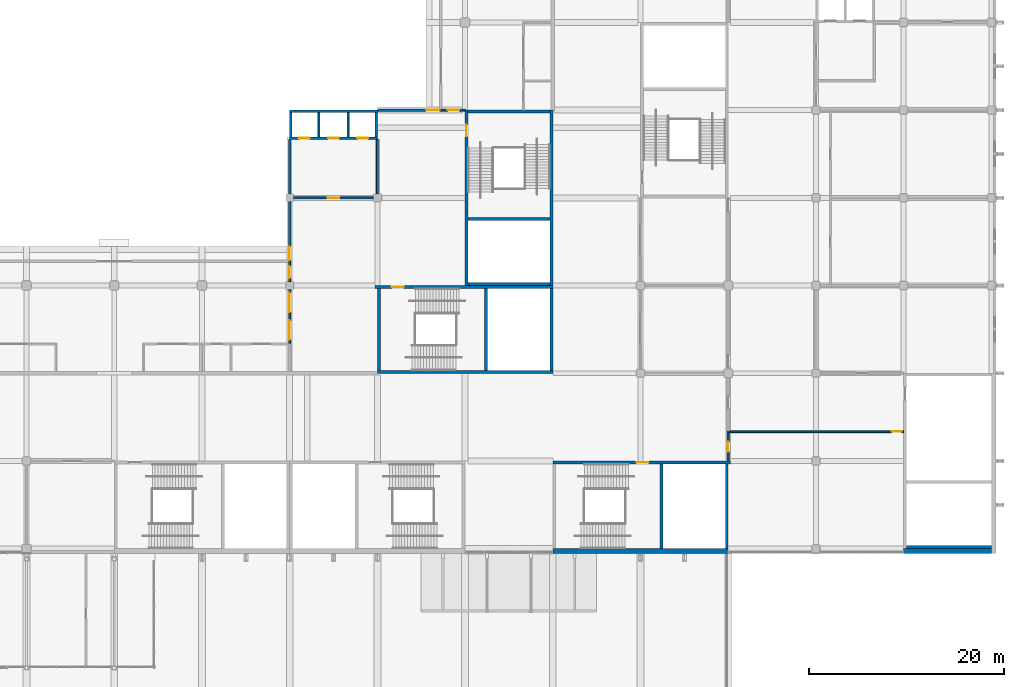
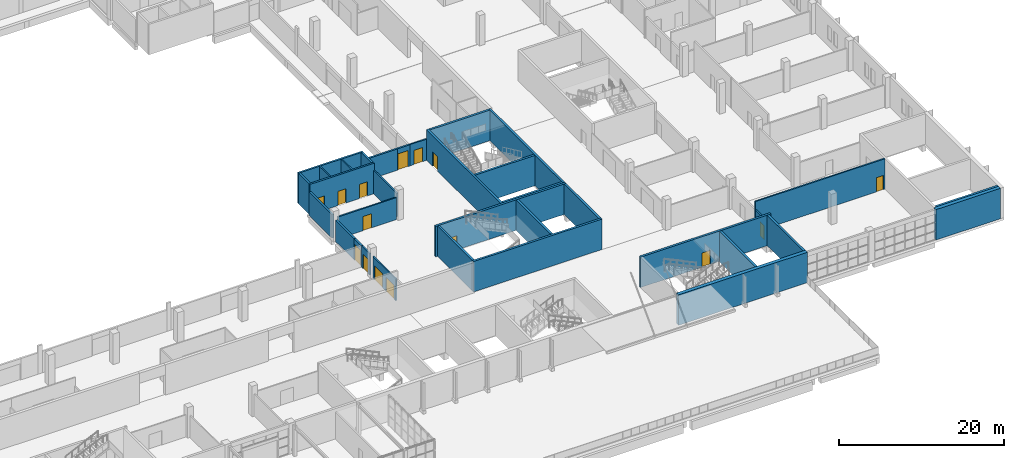
# One storey, part 100 of 168: 34 walls, 15 doors, 15 openings.
"""IFC4 building model written with IfcOpenShell, lengths in metres."""

from ifc_helpers import new_model, si_unit, direction, frame, frame_2d, origin, place, context, subcontext, project, spatial, rectangle, extrude, material, layer, layer_set, type_object, element, fill, save


model = new_model("IFC4")

# Units and contexts
model_context = context("Model", 3, precision=1e-05, world=origin(), true_north=direction((0.0, 1.0)))
body_context = subcontext(model_context, "Body", "Model", "MODEL_VIEW")
ifc_project = project(units=[si_unit("LENGTHUNIT", "METRE"), si_unit("AREAUNIT", "SQUARE_METRE"), si_unit("VOLUMEUNIT", "CUBIC_METRE"), si_unit("PLANEANGLEUNIT", "RADIAN"), si_unit("MASSUNIT", "GRAM", prefix="KILO")], contexts=[model_context])

# Site, building, storey
site_placement = place(None, origin())
site = spatial("IfcSite", under=ifc_project, at=site_placement, CompositionType="ELEMENT")
building_placement = place(site_placement, origin())
building = spatial("IfcBuilding", under=site, at=building_placement, Name="Silverbay Arena", CompositionType="ELEMENT")
storey_placement = place(building_placement, frame((0.0, 0.0, 7.0)))
storey = spatial("IfcBuildingStorey", under=building, at=storey_placement, Name="L01", CompositionType="ELEMENT", Elevation=7.0)

# Wall, opening, door
ifc_material_1 = material(Name="Concrete Grade C45", Category="concrete")
ifc_layer_1 = layer(ifc_material_1, 0.25)
ifc_layer_set_1 = layer_set([ifc_layer_1], Name="Concrete Grade C45")
wall_type_1 = type_object("IfcWallType", Name="Bowl enclosure wall RC 250 EI 120", PredefinedType="SOLIDWALL", material=ifc_layer_set_1)
wall_1_placement = place(storey_placement, frame((162.0, 49.10009765625, 0.0), z_axis=(0.0, 0.0, 1.0), x_axis=(0.0, -1.0, 0.0)))
wall_1 = element("IfcWall", 1, at=wall_1_placement, inside=storey, type_object=wall_type_1, Name="gangway South lower stand end", PredefinedType="SOLIDWALL", context=body_context, shape_type="SweptSolid", body=[
    extrude(rectangle(XDim=1.75, YDim=0.25, at=frame_2d((0.875, 0.0))), origin(), (0.0, 0.0, 1.0), 3.14990234375),
])
opening_1_placement = place(wall_1_placement, frame((0.10009765625, 0.0, 0.0)))
opening_1 = element("IfcOpeningElement", 2, at=opening_1_placement, cuts=wall_1, Name="Opening L01-152", PredefinedType="OPENING", context=body_context, shape_type="SweptSolid", body=[
    extrude(rectangle(XDim=1.39990234375, YDim=2.39990234375, at=frame_2d((0.699951171875, 1.199951171875))), frame((0.0, 0.135009765625, 0.0), z_axis=(0.0, -1.0, 0.0), x_axis=(1.0, 0.0, 0.0)), (0.0, 0.0, 1.0), 0.27001953125),
])
ifc_material_2 = material(Name="Steel", Category="steel")
door_type_1 = type_object("IfcDoorType", Name="Fire door set 1400 x 2400 FD120S gangway", OperationType="DOUBLE_DOOR_SINGLE_SWING", PredefinedType="DOOR", material=ifc_material_2)
door_1_placement = place(opening_1_placement, origin())
door_1 = element("IfcDoor", 3, at=door_1_placement, inside=storey, type_object=door_type_1, Name="Fire door set L01 gangway South lower stand end", OperationType="DOUBLE_DOOR_SINGLE_SWING", OverallHeight=2.39990234375, OverallWidth=1.39990234375, PredefinedType="DOOR", context=body_context, shape_type="SweptSolid", body=[
    extrude(rectangle(XDim=1.39990234375, YDim=2.39990234375, at=frame_2d((0.699951171875, 1.199951171875))), frame((0.0, 0.02490234375, 0.0), z_axis=(0.0, -1.0, 0.0), x_axis=(1.0, 0.0, 0.0)), (0.0, 0.0, 1.0), 0.050048828125),
])
fill(opening_1, door_1)

wall_2_placement = place(storey_placement, frame((175.89990234375, 63.0, 0.0), z_axis=(0.0, 0.0, 1.0), x_axis=(1.0, 0.0, 0.0)))
wall_2 = element("IfcWall", 4, at=wall_2_placement, inside=storey, type_object=wall_type_1, Name="gangway East lower stand end", PredefinedType="SOLIDWALL", context=body_context, shape_type="SweptSolid", body=[
    extrude(rectangle(XDim=1.75, YDim=0.25, at=frame_2d((0.875, 0.0))), origin(), (0.0, 0.0, 1.0), 3.14990234375),
])
opening_2_placement = place(wall_2_placement, frame((0.10009765625, 0.0, 0.0)))
opening_2 = element("IfcOpeningElement", 5, at=opening_2_placement, cuts=wall_2, Name="Opening L01-157", PredefinedType="OPENING", context=body_context, shape_type="SweptSolid", body=[
    extrude(rectangle(XDim=1.39990234375, YDim=2.39990234375, at=frame_2d((0.699951171875, 1.199951171875))), frame((0.0, 0.135009765625, 0.0), z_axis=(0.0, -1.0, 0.0), x_axis=(1.0, 0.0, 0.0)), (0.0, 0.0, 1.0), 0.27001953125),
])
door_2_placement = place(opening_2_placement, frame((1.39990234375, 0.0, 0.0), z_axis=(0.0, 0.0, 1.0), x_axis=(-1.0, 0.0, 0.0)))
door_2 = element("IfcDoor", 6, at=door_2_placement, inside=storey, type_object=door_type_1, Name="Fire door set L01 gangway East lower stand end", OperationType="DOUBLE_DOOR_SINGLE_SWING", OverallHeight=2.39990234375, OverallWidth=1.39990234375, PredefinedType="DOOR", context=body_context, shape_type="SweptSolid", body=[
    extrude(rectangle(XDim=1.39990234375, YDim=2.39990234375, at=frame_2d((0.699951171875, 1.199951171875))), frame((0.0, 0.02490234375, 0.0), z_axis=(0.0, -1.0, 0.0), x_axis=(1.0, 0.0, 0.0)), (0.0, 0.0, 1.0), 0.050048828125),
])
fill(opening_2, door_2)

# Walls
wall_3_placement = place(storey_placement, frame((162.0, 49.10009765625, 0.0), z_axis=(0.0, 0.0, 1.0), x_axis=(0.0, 1.0, 0.0)))
element("IfcWall", 7, at=wall_3_placement, inside=storey, type_object=wall_type_1, Name="Bowl enclosure wall, corner block SE-x", PredefinedType="SOLIDWALL", context=body_context, shape_type="SweptSolid", body=[
    extrude(rectangle(XDim=4.5, YDim=0.25, at=frame_2d((2.25, 0.0))), origin(), (0.0, 0.0, 1.0), 3.14990234375),
])
wall_4_placement = place(storey_placement, frame((162.0, 54.39990234375, 0.0), z_axis=(0.0, 0.0, 1.0), x_axis=(0.0, 1.0, 0.0)))
element("IfcWall", 8, at=wall_4_placement, inside=storey, type_object=wall_type_1, Name="Bowl enclosure wall, corner block SE-x", PredefinedType="SOLIDWALL", context=body_context, shape_type="SweptSolid", body=[
    extrude(rectangle(XDim=5.60009765625, YDim=0.25, at=frame_2d((2.800048828125, 0.0))), origin(), (0.0, 0.0, 1.0), 3.449951171875),
])
wall_5_placement = place(storey_placement, frame((171.0, 63.0, 0.0), z_axis=(0.0, 0.0, 1.0), x_axis=(1.0, 0.0, 0.0)))
element("IfcWall", 9, at=wall_5_placement, inside=storey, type_object=wall_type_1, Name="Bowl enclosure wall, corner block SE-y", PredefinedType="SOLIDWALL", context=body_context, shape_type="SweptSolid", body=[
    extrude(rectangle(XDim=4.89990234375, YDim=0.25, at=frame_2d((2.449951171875, 0.0))), origin(), (0.0, 0.0, 1.0), 3.14990234375),
])

# Wall, opening, door
ifc_material_3 = material(Name="Concrete Grade C45", Category="concrete")
ifc_layer_2 = layer(ifc_material_3, 0.300048828125)
ifc_layer_set_2 = layer_set([ifc_layer_2], Name="Concrete Grade C45")
wall_type_2 = type_object("IfcWallType", Name="Core wall RC 300 EI 120", PredefinedType="SHEAR", material=ifc_layer_set_2)
wall_6_placement = place(storey_placement, frame((189.0, 26.85009765625, 0.0), z_axis=(0.0, 0.0, 1.0), x_axis=(1.0, 0.0, 0.0)))
wall_6 = element("IfcWall", 10, at=wall_6_placement, inside=storey, type_object=wall_type_2, Name="Core wall ST-S6 L01 door side", PredefinedType="SHEAR", context=body_context, shape_type="SweptSolid", body=[
    extrude(rectangle(XDim=18.25, YDim=0.300048828125, at=frame_2d((9.125, 0.0))), origin(), (0.0, 0.0, 1.0), 4.5),
])
opening_3_placement = place(wall_6_placement, frame((8.60009765625, 0.0, 0.0)))
opening_3 = element("IfcOpeningElement", 11, at=opening_3_placement, cuts=wall_6, Name="Opening L01-110", PredefinedType="OPENING", context=body_context, shape_type="SweptSolid", body=[
    extrude(rectangle(XDim=1.199951171875, YDim=2.10009765625, at=frame_2d((0.60009765625, 1.050048828125))), frame((0.0, 0.16015625, 0.0), z_axis=(0.0, -1.0, 0.0), x_axis=(1.0, 0.0, 0.0)), (0.0, 0.0, 1.0), 0.320068359375),
])
ifc_material_4 = material(Name="Steel fire door", Category="steel")
door_type_2 = type_object("IfcDoorType", Name="Stair door 1200 x 2100 fire door", OperationType="SINGLE_SWING_LEFT", PredefinedType="DOOR", material=ifc_material_4)
door_3_placement = place(opening_3_placement, frame((1.199951171875, 0.0, 0.0), z_axis=(0.0, 0.0, 1.0), x_axis=(-1.0, 0.0, 0.0)))
door_3 = element("IfcDoor", 12, at=door_3_placement, inside=storey, type_object=door_type_2, Name="Stair door ST-S6 L01", OperationType="SINGLE_SWING_LEFT", OverallHeight=2.10009765625, OverallWidth=1.199951171875, PredefinedType="DOOR", context=body_context, shape_type="SweptSolid", body=[
    extrude(rectangle(XDim=1.199951171875, YDim=2.10009765625, at=frame_2d((0.60009765625, 1.050048828125))), frame((0.0, 0.02490234375, 0.0), z_axis=(0.0, -1.0, 0.0), x_axis=(1.0, 0.0, 0.0)), (0.0, 0.0, 1.0), 0.050048828125),
])
fill(opening_3, door_3)

# Walls
for number, where, z_axis, x_axis, name in (
    (13, (206.85009765625, 26.699951171875, 0.0), (0.0, 0.0, 1.0), (0.0, -1.0, 0.0), "Core wall ST-S6 L01 end 2"),
    (14, (200.14990234375, 26.699951171875, 0.0), (0.0, 0.0, 1.0), (0.0, -1.0, 0.0), "Core wall ST-S6 L01 stair enclosure"),
):
    element("IfcWall", number, at=place(storey_placement, frame(where, z_axis=z_axis, x_axis=x_axis)), inside=storey, type_object=wall_type_2, Name=name, PredefinedType="SHEAR", context=body_context, shape_type="SweptSolid", body=[
        extrude(rectangle(XDim=8.699951171875, YDim=0.300048828125, at=frame_2d((4.35009765625, 0.0))), origin(), (0.0, 0.0, 1.0), 4.5),
    ])

# Wall, opening, door
wall_7_placement = place(storey_placement, frame((170.75, 44.85009765625, 0.0), z_axis=(0.0, 0.0, 1.0), x_axis=(1.0, 0.0, 0.0)))
wall_7 = element("IfcWall", 15, at=wall_7_placement, inside=storey, type_object=wall_type_2, Name="Core wall ST-SE1 L01 door side", PredefinedType="SHEAR", context=body_context, shape_type="SweptSolid", body=[
    extrude(rectangle(XDim=18.25, YDim=0.300048828125, at=frame_2d((9.125, 0.0))), origin(), (0.0, 0.0, 1.0), 4.5),
])
opening_4_placement = place(wall_7_placement, frame((1.75, 0.0, 0.0)))
opening_4 = element("IfcOpeningElement", 16, at=opening_4_placement, cuts=wall_7, Name="Opening L01-119", PredefinedType="OPENING", context=body_context, shape_type="SweptSolid", body=[
    extrude(rectangle(XDim=1.199951171875, YDim=2.10009765625, at=frame_2d((0.60009765625, 1.050048828125))), frame((0.0, 0.16015625, 0.0), z_axis=(0.0, -1.0, 0.0), x_axis=(1.0, 0.0, 0.0)), (0.0, 0.0, 1.0), 0.320068359375),
])
door_4_placement = place(opening_4_placement, frame((1.199951171875, 0.0, 0.0), z_axis=(0.0, 0.0, 1.0), x_axis=(-1.0, 0.0, 0.0)))
door_4 = element("IfcDoor", 17, at=door_4_placement, inside=storey, type_object=door_type_2, Name="Stair door ST-SE1 L01", OperationType="SINGLE_SWING_RIGHT", OverallHeight=2.10009765625, OverallWidth=1.199951171875, PredefinedType="DOOR", context=body_context, shape_type="SweptSolid", body=[
    extrude(rectangle(XDim=1.199951171875, YDim=2.10009765625, at=frame_2d((0.60009765625, 1.050048828125))), frame((0.0, 0.02490234375, 0.0), z_axis=(0.0, -1.0, 0.0), x_axis=(1.0, 0.0, 0.0)), (0.0, 0.0, 1.0), 0.050048828125),
])
fill(opening_4, door_4)

# Walls
wall_8_placement = place(storey_placement, frame((171.0, 36.14990234375, 0.0), z_axis=(0.0, 0.0, 1.0), x_axis=(1.0, 0.0, 0.0)))
element("IfcWall", 18, at=wall_8_placement, inside=storey, type_object=wall_type_2, Name="Core wall ST-SE1 L01 far side", PredefinedType="SHEAR", context=body_context, shape_type="SweptSolid", body=[
    extrude(rectangle(XDim=18.0, YDim=0.300048828125, at=frame_2d((9.0, 0.0))), origin(), (0.0, 0.0, 1.0), 4.5),
])
for number, where, z_axis, x_axis, name in (
    (19, (171.14990234375, 44.699951171875, 0.0), (0.0, 0.0, 1.0), (0.0, -1.0, 0.0), "Core wall ST-SE1 L01 end 1"),
    (20, (188.85009765625, 44.699951171875, 0.0), (0.0, 0.0, 1.0), (0.0, -1.0, 0.0), "Core wall ST-SE1 L01 end 2"),
    (21, (182.14990234375, 44.699951171875, 0.0), (0.0, 0.0, 1.0), (0.0, -1.0, 0.0), "Core wall ST-SE1 L01 stair enclosure"),
):
    element("IfcWall", number, at=place(storey_placement, frame(where, z_axis=z_axis, x_axis=x_axis)), inside=storey, type_object=wall_type_2, Name=name, PredefinedType="SHEAR", context=body_context, shape_type="SweptSolid", body=[
        extrude(rectangle(XDim=8.39990234375, YDim=0.300048828125, at=frame_2d((4.199951171875, 0.0))), origin(), (0.0, 0.0, 1.0), 4.5),
    ])

# Wall, opening, door
wall_9_placement = place(storey_placement, frame((180.14990234375, 63.0, 0.0), z_axis=(0.0, 0.0, 1.0), x_axis=(0.0, -1.0, 0.0)))
wall_9 = element("IfcWall", 22, at=wall_9_placement, inside=storey, type_object=wall_type_2, Name="Core wall ST-SE2 L01 door side", PredefinedType="SHEAR", context=body_context, shape_type="SweptSolid", body=[
    extrude(rectangle(XDim=18.0, YDim=0.300048828125, at=frame_2d((9.0, 0.0))), origin(), (0.0, 0.0, 1.0), 4.5),
])
opening_5_placement = place(wall_9_placement, frame((1.5, 0.0, 0.0)))
opening_5 = element("IfcOpeningElement", 23, at=opening_5_placement, cuts=wall_9, Name="Opening L01-120", PredefinedType="OPENING", context=body_context, shape_type="SweptSolid", body=[
    extrude(rectangle(XDim=1.199951171875, YDim=2.10009765625, at=frame_2d((0.60009765625, 1.050048828125))), frame((0.0, 0.16015625, 0.0), z_axis=(0.0, -1.0, 0.0), x_axis=(1.0, 0.0, 0.0)), (0.0, 0.0, 1.0), 0.320068359375),
])
door_5_placement = place(opening_5_placement, origin())
door_5 = element("IfcDoor", 24, at=door_5_placement, inside=storey, type_object=door_type_2, Name="Stair door ST-SE2 L01", OperationType="SINGLE_SWING_LEFT", OverallHeight=2.10009765625, OverallWidth=1.199951171875, PredefinedType="DOOR", context=body_context, shape_type="SweptSolid", body=[
    extrude(rectangle(XDim=1.199951171875, YDim=2.10009765625, at=frame_2d((0.60009765625, 1.050048828125))), frame((0.0, 0.02490234375, 0.0), z_axis=(0.0, -1.0, 0.0), x_axis=(1.0, 0.0, 0.0)), (0.0, 0.0, 1.0), 0.050048828125),
])
fill(opening_5, door_5)

# Walls
wall_10_placement = place(storey_placement, frame((188.85009765625, 63.0, 0.0), z_axis=(0.0, 0.0, 1.0), x_axis=(0.0, -1.0, 0.0)))
element("IfcWall", 25, at=wall_10_placement, inside=storey, type_object=wall_type_2, Name="Core wall ST-SE2 L01 far side", PredefinedType="SHEAR", context=body_context, shape_type="SweptSolid", body=[
    extrude(rectangle(XDim=18.0, YDim=0.300048828125, at=frame_2d((9.0, 0.0))), origin(), (0.0, 0.0, 1.0), 4.5),
])
for number, where, z_axis, x_axis, name in (
    (26, (180.300048828125, 62.85009765625, 0.0), (0.0, 0.0, 1.0), (1.0, 0.0, 0.0), "Core wall ST-SE2 L01 end 1"),
    (27, (180.300048828125, 45.14990234375, 0.0), (0.0, 0.0, 1.0), (1.0, 0.0, 0.0), "Core wall ST-SE2 L01 end 2"),
    (28, (180.300048828125, 51.85009765625, 0.0), (0.0, 0.0, 1.0), (1.0, 0.0, 0.0), "Core wall ST-SE2 L01 stair enclosure"),
):
    element("IfcWall", number, at=place(storey_placement, frame(where, z_axis=z_axis, x_axis=x_axis)), inside=storey, type_object=wall_type_2, Name=name, PredefinedType="SHEAR", context=body_context, shape_type="SweptSolid", body=[
        extrude(rectangle(XDim=8.39990234375, YDim=0.300048828125, at=frame_2d((4.199951171875, 0.0))), origin(), (0.0, 0.0, 1.0), 4.5),
    ])
wall_11_placement = place(storey_placement, frame((225.300048828125, 18.14990234375, 0.0), z_axis=(0.0, 0.0, 1.0), x_axis=(1.0, 0.0, 0.0)))
element("IfcWall", 29, at=wall_11_placement, inside=storey, type_object=wall_type_2, Name="Core wall ST-EG1 L01 end 2", PredefinedType="SHEAR", context=body_context, shape_type="SweptSolid", body=[
    extrude(rectangle(XDim=8.699951171875, YDim=0.300048828125, at=frame_2d((4.35009765625, 0.0))), origin(), (0.0, 0.0, 1.0), 4.5),
])
ifc_material_5 = material(Name="Concrete Grade C45", Category="concrete")
ifc_layer_3 = layer(ifc_material_5, 0.5)
ifc_layer_set_3 = layer_set([ifc_layer_3], Name="Concrete Grade C45")
wall_type_3 = type_object("IfcWallType", Name="Core wall RC 500 external EI 120", PredefinedType="SHEAR", material=ifc_layer_set_3)
wall_12_placement = place(storey_placement, frame((189.0, 17.75, 0.0), z_axis=(0.0, 0.0, 1.0), x_axis=(1.0, 0.0, 0.0)))
element("IfcWall", 30, at=wall_12_placement, inside=storey, type_object=wall_type_3, Name="Core wall ST-S6 L01 facade side", PredefinedType="SHEAR", context=body_context, shape_type="SweptSolid", body=[
    extrude(rectangle(XDim=18.0, YDim=0.5, at=frame_2d((9.0, 0.0))), origin(), (0.0, 0.0, 1.0), 4.5),
])
ifc_material_6 = material(Name="Concrete Grade C45", Category="concrete")
ifc_layer_4 = layer(ifc_material_6, 0.199951171875)
ifc_layer_set_4 = layer_set([ifc_layer_4], Name="Concrete Grade C45")
wall_type_4 = type_object("IfcWallType", Name="Lift shaft divider RC 200 EI 120", PredefinedType="SHEAR", material=ifc_layer_set_4)
for number, where, z_axis, x_axis, name in (
    (31, (165.0, 60.25, 0.0), (0.0, 0.0, 1.0), (0.0, 1.0, 0.0), "Lift shaft divider LB-SE L01 1"),
    (32, (168.0, 60.25, 0.0), (0.0, 0.0, 1.0), (0.0, 1.0, 0.0), "Lift shaft divider LB-SE L01 2"),
):
    element("IfcWall", number, at=place(storey_placement, frame(where, z_axis=z_axis, x_axis=x_axis)), inside=storey, type_object=wall_type_4, Name=name, PredefinedType="SHEAR", context=body_context, shape_type="SweptSolid", body=[
        extrude(rectangle(XDim=2.5, YDim=0.199951171875, at=frame_2d((1.25, 0.0))), origin(), (0.0, 0.0, 1.0), 4.5),
    ])

# Wall, openings, doors
ifc_material_7 = material(Name="Concrete Grade C45", Category="concrete")
ifc_layer_5 = layer(ifc_material_7, 0.25)
ifc_layer_set_5 = layer_set([ifc_layer_5], Name="Concrete Grade C45")
wall_type_5 = type_object("IfcWallType", Name="Lift shaft wall RC 250 EI 120", PredefinedType="SHEAR", material=ifc_layer_set_5)
wall_13_placement = place(storey_placement, frame((162.0, 60.125, 0.0), z_axis=(0.0, 0.0, 1.0), x_axis=(1.0, 0.0, 0.0)))
wall_13 = element("IfcWall", 33, at=wall_13_placement, inside=storey, type_object=wall_type_5, Name="Lift shaft wall LB-SE L01 landing side", PredefinedType="SHEAR", context=body_context, shape_type="SweptSolid", body=[
    extrude(rectangle(XDim=9.0, YDim=0.25, at=frame_2d((4.5, 0.0))), origin(), (0.0, 0.0, 1.0), 4.5),
])
opening_6_placement = place(wall_13_placement, frame((0.949951171875, 0.0, 0.0)))
opening_6 = element("IfcOpeningElement", 34, at=opening_6_placement, cuts=wall_13, Name="Opening L01-132", PredefinedType="OPENING", context=body_context, shape_type="SweptSolid", body=[
    extrude(rectangle(XDim=1.10009765625, YDim=2.10009765625, at=frame_2d((0.550048828125, 1.050048828125))), frame((0.0, 0.135009765625, 0.0), z_axis=(0.0, -1.0, 0.0), x_axis=(1.0, 0.0, 0.0)), (0.0, 0.0, 1.0), 0.27001953125),
])
opening_7_placement = place(wall_13_placement, frame((3.949951171875, 0.0, 0.0)))
opening_7 = element("IfcOpeningElement", 35, at=opening_7_placement, cuts=wall_13, Name="Opening L01-133", PredefinedType="OPENING", context=body_context, shape_type="SweptSolid", body=[
    extrude(rectangle(XDim=1.10009765625, YDim=2.10009765625, at=frame_2d((0.550048828125, 1.050048828125))), frame((0.0, 0.135009765625, 0.0), z_axis=(0.0, -1.0, 0.0), x_axis=(1.0, 0.0, 0.0)), (0.0, 0.0, 1.0), 0.27001953125),
])
opening_8_placement = place(wall_13_placement, frame((6.949951171875, 0.0, 0.0)))
opening_8 = element("IfcOpeningElement", 36, at=opening_8_placement, cuts=wall_13, Name="Opening L01-134", PredefinedType="OPENING", context=body_context, shape_type="SweptSolid", body=[
    extrude(rectangle(XDim=1.10009765625, YDim=2.10009765625, at=frame_2d((0.550048828125, 1.050048828125))), frame((0.0, 0.135009765625, 0.0), z_axis=(0.0, -1.0, 0.0), x_axis=(1.0, 0.0, 0.0)), (0.0, 0.0, 1.0), 0.27001953125),
])
ifc_material_8 = material(Name="Stainless steel", Category="steel")
door_type_3 = type_object("IfcDoorType", Name="LD1 lift landing door 1100 x 2100", OperationType="DOUBLE_DOOR_SLIDING", PredefinedType="DOOR", material=ifc_material_8)
door_6_placement = place(opening_6_placement, origin())
door_6 = element("IfcDoor", 37, at=door_6_placement, inside=storey, type_object=door_type_3, Name="Lift landing door LF6 L01", OperationType="DOUBLE_DOOR_SLIDING", OverallHeight=2.10009765625, OverallWidth=1.10009765625, PredefinedType="DOOR", context=body_context, shape_type="SweptSolid", body=[
    extrude(rectangle(XDim=1.10009765625, YDim=2.10009765625, at=frame_2d((0.550048828125, 1.050048828125))), frame((0.0, 0.02490234375, 0.0), z_axis=(0.0, -1.0, 0.0), x_axis=(1.0, 0.0, 0.0)), (0.0, 0.0, 1.0), 0.050048828125),
])
fill(opening_6, door_6)
door_7_placement = place(opening_7_placement, origin())
door_7 = element("IfcDoor", 38, at=door_7_placement, inside=storey, type_object=door_type_3, Name="Lift landing door LF7 L01", OperationType="DOUBLE_DOOR_SLIDING", OverallHeight=2.10009765625, OverallWidth=1.10009765625, PredefinedType="DOOR", context=body_context, shape_type="SweptSolid", body=[
    extrude(rectangle(XDim=1.10009765625, YDim=2.10009765625, at=frame_2d((0.550048828125, 1.050048828125))), frame((0.0, 0.02490234375, 0.0), z_axis=(0.0, -1.0, 0.0), x_axis=(1.0, 0.0, 0.0)), (0.0, 0.0, 1.0), 0.050048828125),
])
fill(opening_7, door_7)
door_8_placement = place(opening_8_placement, origin())
door_8 = element("IfcDoor", 39, at=door_8_placement, inside=storey, type_object=door_type_3, Name="Lift landing door LF8 L01", OperationType="DOUBLE_DOOR_SLIDING", OverallHeight=2.10009765625, OverallWidth=1.10009765625, PredefinedType="DOOR", context=body_context, shape_type="SweptSolid", body=[
    extrude(rectangle(XDim=1.10009765625, YDim=2.10009765625, at=frame_2d((0.550048828125, 1.050048828125))), frame((0.0, 0.02490234375, 0.0), z_axis=(0.0, -1.0, 0.0), x_axis=(1.0, 0.0, 0.0)), (0.0, 0.0, 1.0), 0.050048828125),
])
fill(opening_8, door_8)

# Walls
wall_14_placement = place(storey_placement, frame((162.0, 62.875, 0.0), z_axis=(0.0, 0.0, 1.0), x_axis=(1.0, 0.0, 0.0)))
element("IfcWall", 40, at=wall_14_placement, inside=storey, type_object=wall_type_5, Name="Lift shaft wall LB-SE L01 back", PredefinedType="SHEAR", context=body_context, shape_type="SweptSolid", body=[
    extrude(rectangle(XDim=9.0, YDim=0.25, at=frame_2d((4.5, 0.0))), origin(), (0.0, 0.0, 1.0), 4.5),
])
for number, where, z_axis, x_axis, name in (
    (41, (162.125, 60.25, 0.0), (0.0, 0.0, 1.0), (0.0, 1.0, 0.0), "Lift shaft wall LB-SE L01 end"),
    (42, (170.875, 60.25, 0.0), (0.0, 0.0, 1.0), (0.0, 1.0, 0.0), "Lift shaft wall LB-SE L01 end"),
):
    element("IfcWall", number, at=place(storey_placement, frame(where, z_axis=z_axis, x_axis=x_axis)), inside=storey, type_object=wall_type_5, Name=name, PredefinedType="SHEAR", context=body_context, shape_type="SweptSolid", body=[
        extrude(rectangle(XDim=2.5, YDim=0.25, at=frame_2d((1.25, 0.0))), origin(), (0.0, 0.0, 1.0), 4.5),
    ])

# Wall, opening, door
ifc_material_9 = material(Name="Masonry blockwork partition", Category="masonry")
ifc_layer_6 = layer(ifc_material_9, 0.199951171875)
ifc_layer_set_6 = layer_set([ifc_layer_6], Name="Masonry blockwork partition")
wall_type_6 = type_object("IfcWallType", Name="Partition 200 EI 120", PredefinedType="PARTITIONING", material=ifc_layer_set_6)
wall_15_placement = place(storey_placement, frame((206.89990234375, 30.0, 0.0), z_axis=(0.0, 0.0, 1.0), x_axis=(1.0, 0.0, 0.0)))
wall_15 = element("IfcWall", 43, at=wall_15_placement, inside=storey, type_object=wall_type_6, Name="Partition wall", PredefinedType="PARTITIONING", context=body_context, shape_type="SweptSolid", body=[
    extrude(rectangle(XDim=18.10009765625, YDim=0.199951171875, at=frame_2d((9.050048828125, 0.0))), origin(), (0.0, 0.0, 1.0), 4.5),
])
opening_9_placement = place(wall_15_placement, frame((16.89990234375, 0.0, 0.0)))
opening_9 = element("IfcOpeningElement", 44, at=opening_9_placement, cuts=wall_15, Name="Opening L01-085", PredefinedType="OPENING", context=body_context, shape_type="SweptSolid", body=[
    extrude(rectangle(XDim=1.0, YDim=2.10009765625, at=frame_2d((0.5, 1.050048828125))), frame((0.0, 0.10986328125, 0.0), z_axis=(0.0, -1.0, 0.0), x_axis=(1.0, 0.0, 0.0)), (0.0, 0.0, 1.0), 0.219970703125),
])
ifc_material_10 = material(Name="Steel faced timber", Category="steel")
door_type_4 = type_object("IfcDoorType", Name="Single leaf door 1000 x 2100 FD120", OperationType="SINGLE_SWING_LEFT", PredefinedType="DOOR", material=ifc_material_10)
door_9_placement = place(opening_9_placement, frame((1.0, 0.0, 0.0), z_axis=(0.0, 0.0, 1.0), x_axis=(-1.0, 0.0, 0.0)))
door_9 = element("IfcDoor", 45, at=door_9_placement, inside=storey, type_object=door_type_4, Name="Door L01-085", OperationType="SINGLE_SWING_LEFT", OverallHeight=2.10009765625, OverallWidth=1.0, PredefinedType="DOOR", context=body_context, shape_type="SweptSolid", body=[
    extrude(rectangle(XDim=1.0, YDim=2.10009765625, at=frame_2d((0.5, 1.050048828125))), frame((0.0, 0.02490234375, 0.0), z_axis=(0.0, -1.0, 0.0), x_axis=(1.0, 0.0, 0.0)), (0.0, 0.0, 1.0), 0.050048828125),
])
fill(opening_9, door_9)

wall_16_placement = place(storey_placement, frame((162.39990234375, 54.0, 0.0), z_axis=(0.0, 0.0, 1.0), x_axis=(1.0, 0.0, 0.0)))
wall_16 = element("IfcWall", 46, at=wall_16_placement, inside=storey, type_object=wall_type_6, Name="Partition wall", PredefinedType="PARTITIONING", context=body_context, shape_type="SweptSolid", body=[
    extrude(rectangle(XDim=8.2001953125, YDim=0.199951171875, at=frame_2d((4.10009765625, 0.0))), origin(), (0.0, 0.0, 1.0), 3.25),
])
opening_10_placement = place(wall_16_placement, frame((3.5, 0.0, 0.0)))
opening_10 = element("IfcOpeningElement", 47, at=opening_10_placement, cuts=wall_16, Name="Opening L01-014", PredefinedType="OPENING", context=body_context, shape_type="SweptSolid", body=[
    extrude(rectangle(XDim=1.199951171875, YDim=2.10009765625, at=frame_2d((0.60009765625, 1.050048828125))), frame((0.0, 0.10986328125, 0.0), z_axis=(0.0, -1.0, 0.0), x_axis=(1.0, 0.0, 0.0)), (0.0, 0.0, 1.0), 0.219970703125),
])
ifc_material_11 = material(Name="Steel faced timber", Category="steel")
door_type_5 = type_object("IfcDoorType", Name="Single leaf door 1200 x 2100 FD60", OperationType="SINGLE_SWING_LEFT", PredefinedType="DOOR", material=ifc_material_11)
door_10_placement = place(opening_10_placement, frame((1.199951171875, 0.0, 0.0), z_axis=(0.0, 0.0, 1.0), x_axis=(-1.0, 0.0, 0.0)))
door_10 = element("IfcDoor", 48, at=door_10_placement, inside=storey, type_object=door_type_5, Name="Door L01-014", OperationType="SINGLE_SWING_LEFT", OverallHeight=2.10009765625, OverallWidth=1.199951171875, PredefinedType="DOOR", context=body_context, shape_type="SweptSolid", body=[
    extrude(rectangle(XDim=1.199951171875, YDim=2.10009765625, at=frame_2d((0.60009765625, 1.050048828125))), frame((0.0, 0.02490234375, 0.0), z_axis=(0.0, -1.0, 0.0), x_axis=(1.0, 0.0, 0.0)), (0.0, 0.0, 1.0), 0.050048828125),
])
fill(opening_10, door_10)

wall_17_placement = place(storey_placement, frame((177.64990234375, 63.0, 0.0), z_axis=(0.0, 0.0, 1.0), x_axis=(1.0, 0.0, 0.0)))
wall_17 = element("IfcWall", 49, at=wall_17_placement, inside=storey, type_object=wall_type_6, Name="Partition wall", PredefinedType="PARTITIONING", context=body_context, shape_type="SweptSolid", body=[
    extrude(rectangle(XDim=2.35009765625, YDim=0.199951171875, at=frame_2d((1.175048828125, 0.0))), origin(), (0.0, 0.0, 1.0), 3.14990234375),
])
opening_11_placement = place(wall_17_placement, frame((0.574951171875, 0.0, 0.0)))
opening_11 = element("IfcOpeningElement", 50, at=opening_11_placement, cuts=wall_17, Name="Opening L01-079", PredefinedType="OPENING", context=body_context, shape_type="SweptSolid", body=[
    extrude(rectangle(XDim=1.199951171875, YDim=2.10009765625, at=frame_2d((0.60009765625, 1.050048828125))), frame((0.0, 0.10986328125, 0.0), z_axis=(0.0, -1.0, 0.0), x_axis=(1.0, 0.0, 0.0)), (0.0, 0.0, 1.0), 0.219970703125),
])
door_11_placement = place(opening_11_placement, frame((1.199951171875, 0.0, 0.0), z_axis=(0.0, 0.0, 1.0), x_axis=(-1.0, 0.0, 0.0)))
door_11 = element("IfcDoor", 51, at=door_11_placement, inside=storey, type_object=door_type_5, Name="Door L01-079", OperationType="SINGLE_SWING_RIGHT", OverallHeight=2.10009765625, OverallWidth=1.199951171875, PredefinedType="DOOR", context=body_context, shape_type="SweptSolid", body=[
    extrude(rectangle(XDim=1.199951171875, YDim=2.10009765625, at=frame_2d((0.60009765625, 1.050048828125))), frame((0.0, 0.02490234375, 0.0), z_axis=(0.0, -1.0, 0.0), x_axis=(1.0, 0.0, 0.0)), (0.0, 0.0, 1.0), 0.050048828125),
])
fill(opening_11, door_11)

# Wall, openings, doors
wall_18_placement = place(storey_placement, frame((162.0, 39.10009765625, 0.0), z_axis=(0.0, 0.0, 1.0), x_axis=(0.0, 1.0, 0.0)))
wall_18 = element("IfcWall", 52, at=wall_18_placement, inside=storey, type_object=wall_type_6, Name="Partition wall", PredefinedType="PARTITIONING", context=body_context, shape_type="SweptSolid", body=[
    extrude(rectangle(XDim=5.5, YDim=0.199951171875, at=frame_2d((2.75, 0.0))), origin(), (0.0, 0.0, 1.0), 3.25),
])
opening_12_placement = place(wall_18_placement, frame((0.35009765625, 0.0, 0.0)))
opening_12 = element("IfcOpeningElement", 53, at=opening_12_placement, cuts=wall_18, Name="Opening L01-068", PredefinedType="OPENING", context=body_context, shape_type="SweptSolid", body=[
    extrude(rectangle(XDim=2.0, YDim=2.10009765625, at=frame_2d((1.0, 1.050048828125))), frame((0.0, 0.10986328125, 0.0), z_axis=(0.0, -1.0, 0.0), x_axis=(1.0, 0.0, 0.0)), (0.0, 0.0, 1.0), 0.219970703125),
])
opening_13_placement = place(wall_18_placement, frame((3.14990234375, 0.0, 0.0)))
opening_13 = element("IfcOpeningElement", 54, at=opening_13_placement, cuts=wall_18, Name="Opening L01-069", PredefinedType="OPENING", context=body_context, shape_type="SweptSolid", body=[
    extrude(rectangle(XDim=2.0, YDim=2.10009765625, at=frame_2d((1.0, 1.050048828125))), frame((0.0, 0.10986328125, 0.0), z_axis=(0.0, -1.0, 0.0), x_axis=(1.0, 0.0, 0.0)), (0.0, 0.0, 1.0), 0.219970703125),
])
ifc_material_12 = material(Name="Steel faced timber", Category="steel")
door_type_6 = type_object("IfcDoorType", Name="Double leaf door 2000 x 2100 FD120", OperationType="DOUBLE_DOOR_DOUBLE_SWING", PredefinedType="DOOR", material=ifc_material_12)
door_12_placement = place(opening_12_placement, frame((2.0, 0.0, 0.0), z_axis=(0.0, 0.0, 1.0), x_axis=(-1.0, 0.0, 0.0)))
door_12 = element("IfcDoor", 55, at=door_12_placement, inside=storey, type_object=door_type_6, Name="Door L01-068", OperationType="DOUBLE_DOOR_DOUBLE_SWING", OverallHeight=2.10009765625, OverallWidth=2.0, PredefinedType="DOOR", context=body_context, shape_type="SweptSolid", body=[
    extrude(rectangle(XDim=2.0, YDim=2.10009765625, at=frame_2d((1.0, 1.050048828125))), frame((0.0, 0.02490234375, 0.0), z_axis=(0.0, -1.0, 0.0), x_axis=(1.0, 0.0, 0.0)), (0.0, 0.0, 1.0), 0.050048828125),
])
fill(opening_12, door_12)
ifc_material_13 = material(Name="Steel faced timber", Category="steel")
door_type_7 = type_object("IfcDoorType", Name="Double leaf door 2000 x 2100 FD60", OperationType="DOUBLE_DOOR_DOUBLE_SWING", PredefinedType="DOOR", material=ifc_material_13)
door_13_placement = place(opening_13_placement, frame((2.0, 0.0, 0.0), z_axis=(0.0, 0.0, 1.0), x_axis=(-1.0, 0.0, 0.0)))
door_13 = element("IfcDoor", 56, at=door_13_placement, inside=storey, type_object=door_type_7, Name="Door L01-069", OperationType="DOUBLE_DOOR_DOUBLE_SWING", OverallHeight=2.10009765625, OverallWidth=2.0, PredefinedType="DOOR", context=body_context, shape_type="SweptSolid", body=[
    extrude(rectangle(XDim=2.0, YDim=2.10009765625, at=frame_2d((1.0, 1.050048828125))), frame((0.0, 0.02490234375, 0.0), z_axis=(0.0, -1.0, 0.0), x_axis=(1.0, 0.0, 0.0)), (0.0, 0.0, 1.0), 0.050048828125),
])
fill(opening_13, door_13)

# Wall, opening, door
wall_19_placement = place(storey_placement, frame((162.0, 45.39990234375, 0.0), z_axis=(0.0, 0.0, 1.0), x_axis=(0.0, 1.0, 0.0)))
wall_19 = element("IfcWall", 57, at=wall_19_placement, inside=storey, type_object=wall_type_6, Name="Partition wall", PredefinedType="PARTITIONING", context=body_context, shape_type="SweptSolid", body=[
    extrude(rectangle(XDim=1.9501953125, YDim=0.199951171875, at=frame_2d((0.97509765625, 0.0))), origin(), (0.0, 0.0, 1.0), 3.14990234375),
])
opening_14_placement = place(wall_19_placement, frame((0.375, 0.0, 0.0)))
opening_14 = element("IfcOpeningElement", 58, at=opening_14_placement, cuts=wall_19, Name="Opening L01-070", PredefinedType="OPENING", context=body_context, shape_type="SweptSolid", body=[
    extrude(rectangle(XDim=1.199951171875, YDim=2.10009765625, at=frame_2d((0.60009765625, 1.050048828125))), frame((0.0, 0.10986328125, 0.0), z_axis=(0.0, -1.0, 0.0), x_axis=(1.0, 0.0, 0.0)), (0.0, 0.0, 1.0), 0.219970703125),
])
door_14_placement = place(opening_14_placement, frame((1.199951171875, 0.0, 0.0), z_axis=(0.0, 0.0, 1.0), x_axis=(-1.0, 0.0, 0.0)))
door_14 = element("IfcDoor", 59, at=door_14_placement, inside=storey, type_object=door_type_5, Name="Door L01-070", OperationType="SINGLE_SWING_LEFT", OverallHeight=2.10009765625, OverallWidth=1.199951171875, PredefinedType="DOOR", context=body_context, shape_type="SweptSolid", body=[
    extrude(rectangle(XDim=1.199951171875, YDim=2.10009765625, at=frame_2d((0.60009765625, 1.050048828125))), frame((0.0, 0.02490234375, 0.0), z_axis=(0.0, -1.0, 0.0), x_axis=(1.0, 0.0, 0.0)), (0.0, 0.0, 1.0), 0.050048828125),
])
fill(opening_14, door_14)

# Wall
wall_20_placement = place(storey_placement, frame((171.0, 54.39990234375, 0.0), z_axis=(0.0, 0.0, 1.0), x_axis=(0.0, 1.0, 0.0)))
element("IfcWall", 60, at=wall_20_placement, inside=storey, type_object=wall_type_6, Name="Partition wall", PredefinedType="PARTITIONING", context=body_context, shape_type="SweptSolid", body=[
    extrude(rectangle(XDim=5.60009765625, YDim=0.199951171875, at=frame_2d((2.800048828125, 0.0))), origin(), (0.0, 0.0, 1.0), 3.449951171875),
])

# Wall, opening, door
wall_21_placement = place(storey_placement, frame((207.0, 27.0, 0.0), z_axis=(0.0, 0.0, 1.0), x_axis=(0.0, 1.0, 0.0)))
wall_21 = element("IfcWall", 61, at=wall_21_placement, inside=storey, type_object=wall_type_6, Name="Partition wall", PredefinedType="PARTITIONING", context=body_context, shape_type="SweptSolid", body=[
    extrude(rectangle(XDim=2.89990234375, YDim=0.199951171875, at=frame_2d((1.449951171875, 0.0))), origin(), (0.0, 0.0, 1.0), 3.25),
])
opening_15_placement = place(wall_21_placement, frame((0.949951171875, 0.0, 0.0)))
opening_15 = element("IfcOpeningElement", 62, at=opening_15_placement, cuts=wall_21, Name="Opening L01-053", PredefinedType="OPENING", context=body_context, shape_type="SweptSolid", body=[
    extrude(rectangle(XDim=1.0, YDim=2.10009765625, at=frame_2d((0.5, 1.050048828125))), frame((0.0, 0.10986328125, 0.0), z_axis=(0.0, -1.0, 0.0), x_axis=(1.0, 0.0, 0.0)), (0.0, 0.0, 1.0), 0.219970703125),
])
door_15_placement = place(opening_15_placement, frame((1.0, 0.0, 0.0), z_axis=(0.0, 0.0, 1.0), x_axis=(-1.0, 0.0, 0.0)))
door_15 = element("IfcDoor", 63, at=door_15_placement, inside=storey, type_object=door_type_4, Name="Door L01-053", OperationType="SINGLE_SWING_RIGHT", OverallHeight=2.10009765625, OverallWidth=1.0, PredefinedType="DOOR", context=body_context, shape_type="SweptSolid", body=[
    extrude(rectangle(XDim=1.0, YDim=2.10009765625, at=frame_2d((0.5, 1.050048828125))), frame((0.0, 0.02490234375, 0.0), z_axis=(0.0, -1.0, 0.0), x_axis=(1.0, 0.0, 0.0)), (0.0, 0.0, 1.0), 0.050048828125),
])
fill(opening_15, door_15)

# Wall
ifc_material_14 = material(Name="Concrete Grade C45", Category="concrete")
ifc_layer_7 = layer(ifc_material_14, 0.5)
ifc_layer_set_7 = layer_set([ifc_layer_7], Name="Concrete Grade C45")
wall_type_7 = type_object("IfcWallType", Name="Stair core facade wall 500", PredefinedType="SOLIDWALL", material=ifc_layer_set_7)
wall_22_placement = place(storey_placement, frame((225.0, 17.75, 0.0), z_axis=(0.0, 0.0, 1.0), x_axis=(1.0, 0.0, 0.0)))
element("IfcWall", 64, at=wall_22_placement, inside=storey, type_object=wall_type_7, Name="South stair core facade wall L01 bay 23", PredefinedType="SOLIDWALL", context=body_context, shape_type="SweptSolid", body=[
    extrude(rectangle(XDim=9.0, YDim=0.5, at=frame_2d((4.5, 0.0))), origin(), (0.0, 0.0, 1.0), 4.5),
])

save(model, "model.ifc")
